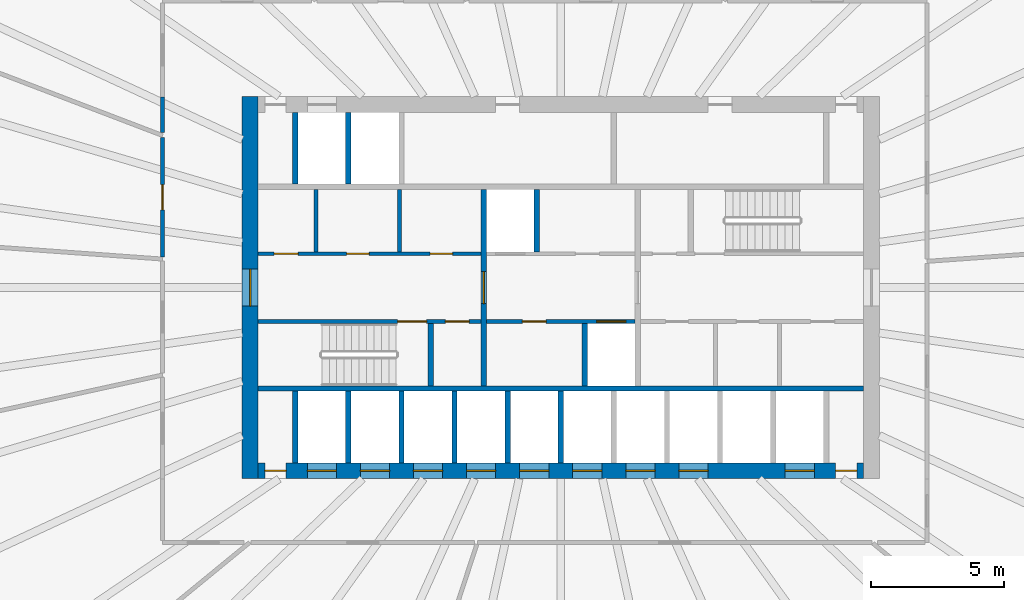
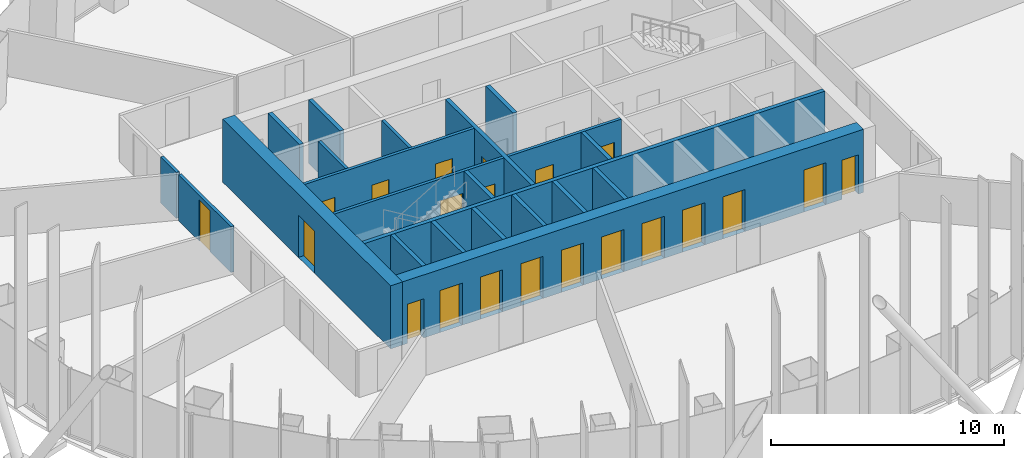
# One storey, part 8 of 22: 22 walls, 21 doors, 21 openings.
"""IFC4 building model written with IfcOpenShell, lengths in metres."""

from ifc_helpers import new_model, si_unit, direction, frame, frame_2d, origin, place, context, subcontext, project, spatial, rectangle, extrude, material, layer, layer_set, type_object, element, fill, save


model = new_model("IFC4")

# Units and contexts
model_context = context("Model", 3, precision=1e-05, world=origin(), true_north=direction((0.0, 1.0)))
body_context = subcontext(model_context, "Body", "Model", "MODEL_VIEW")
ifc_project = project(units=[si_unit("LENGTHUNIT", "METRE"), si_unit("AREAUNIT", "SQUARE_METRE"), si_unit("VOLUMEUNIT", "CUBIC_METRE"), si_unit("PLANEANGLEUNIT", "RADIAN"), si_unit("MASSUNIT", "GRAM", prefix="KILO")], contexts=[model_context])

# Site, building, storey
site_placement = place(None, origin())
site = spatial("IfcSite", under=ifc_project, at=site_placement, CompositionType="ELEMENT")
building_placement = place(site_placement, origin())
building = spatial("IfcBuilding", under=site, at=building_placement, Name="Siaravel Broadcast Tower", CompositionType="ELEMENT")
storey_placement = place(building_placement, frame((0.0, 0.0, 37.10009765625)))
storey = spatial("IfcBuildingStorey", under=building, at=storey_placement, Name="L07", CompositionType="ELEMENT", Elevation=37.10009765625)

# Walls
ifc_material_1 = material(Name="Concrete blockwork", Category="masonry")
ifc_layer_1 = layer(ifc_material_1, 0.14990234375)
ifc_layer_set_1 = layer_set([ifc_layer_1], Name="Concrete blockwork")
wall_type_1 = type_object("IfcWallType", Name="Core partition 150", PredefinedType="PARTITIONING", material=ifc_layer_set_1)
for number, where, z_axis, x_axis, name in (
    (1, (-9.218994140625, 1.35009765625, 0.0), (0.0, 0.0, 1.0), (0.0, 1.0, 0.0), "L07 core partition PNW0"),
    (2, (-6.072021484375, 1.35009765625, 0.0), (0.0, 0.0, 1.0), (0.0, 1.0, 0.0), "L07 core partition PNW1"),
):
    element("IfcWall", number, at=place(storey_placement, frame(where, z_axis=z_axis, x_axis=x_axis)), inside=storey, type_object=wall_type_1, Name=name, PredefinedType="PARTITIONING", context=body_context, shape_type="SweptSolid", body=[
        extrude(rectangle(XDim=2.349853515625, YDim=0.14990234375, at=frame_2d((1.1748046875, 0.0))), origin(), (0.0, 0.0, 1.0), 3.2998046875),
    ])

# Wall, opening, door
ifc_material_2 = material(Name="Concrete C60/75", Category="concrete")
ifc_layer_2 = layer(ifc_material_2, 0.60009765625)
ifc_layer_set_2 = layer_set([ifc_layer_2], Name="Concrete C60/75")
wall_type_2 = type_object("IfcWallType", Name="Core wall 600", PredefinedType="SHEAR", material=ifc_layer_set_2)
wall_1_placement = place(storey_placement, frame((-11.699951171875, -7.199951171875, 0.0), z_axis=(0.0, 0.0, 1.0), x_axis=(0.0, 1.0, 0.0)))
wall_1 = element("IfcWall", 3, at=wall_1_placement, inside=storey, type_object=wall_type_2, Name="L07 core wall OW", PredefinedType="SHEAR", context=body_context, shape_type="SweptSolid", body=[
    extrude(rectangle(XDim=14.39990234375, YDim=0.60009765625, at=frame_2d((7.199951171875, 0.0))), origin(), (0.0, 0.0, 1.0), 3.2998046875),
])
opening_1_placement = place(wall_1_placement, frame((6.5, 0.0, 0.0)))
opening_1 = element("IfcOpeningElement", 4, at=opening_1_placement, cuts=wall_1, Name="Opening L07-DX-W", PredefinedType="OPENING", context=body_context, shape_type="SweptSolid", body=[
    extrude(rectangle(XDim=1.39990234375, YDim=2.199951171875, at=frame_2d((0.699951171875, 1.10009765625))), frame((0.0, 0.31005859375, 0.0), z_axis=(0.0, -1.0, 0.0), x_axis=(1.0, 0.0, 0.0)), (0.0, 0.0, 1.0), 0.6201171875),
])
ifc_material_3 = material(Name="Steel", Category="steel")
door_type_1 = type_object("IfcDoorType", Name="Core exit door 1400", OperationType="DOUBLE_DOOR_SINGLE_SWING", PredefinedType="DOOR", material=ifc_material_3)
door_1_placement = place(opening_1_placement, origin())
door_1 = element("IfcDoor", 5, at=door_1_placement, inside=storey, type_object=door_type_1, Name="L07 door DX-W", OperationType="DOUBLE_DOOR_SINGLE_SWING", OverallHeight=2.199951171875, OverallWidth=1.39990234375, PredefinedType="DOOR", context=body_context, shape_type="SweptSolid", body=[
    extrude(rectangle(XDim=1.39990234375, YDim=2.199951171875, at=frame_2d((0.699951171875, 1.10009765625))), frame((0.0, 0.02490234375, 0.0), z_axis=(0.0, -1.0, 0.0), x_axis=(1.0, 0.0, 0.0)), (0.0, 0.0, 1.0), 0.050048828125),
])
fill(opening_1, door_1)

# Wall, openings, doors
wall_2_placement = place(storey_placement, frame((-11.39990234375, -6.89990234375, 0.0), z_axis=(0.0, 0.0, 1.0), x_axis=(1.0, 0.0, 0.0)))
wall_2 = element("IfcWall", 6, at=wall_2_placement, inside=storey, type_object=wall_type_2, Name="L07 core wall OS", PredefinedType="SHEAR", context=body_context, shape_type="SweptSolid", body=[
    extrude(rectangle(XDim=22.7998046875, YDim=0.60009765625, at=frame_2d((11.39990234375, 0.0))), origin(), (0.0, 0.0, 1.0), 3.2998046875),
])
opening_2_placement = place(wall_2_placement, frame((1.85009765625, 0.0, 0.0)))
opening_2 = element("IfcOpeningElement", 7, at=opening_2_placement, cuts=wall_2, Name="Opening LD-LP1-L07", PredefinedType="OPENING", context=body_context, shape_type="SweptSolid", body=[
    extrude(rectangle(XDim=1.10009765625, YDim=2.199951171875, at=frame_2d((0.550048828125, 1.10009765625))), frame((0.0, 0.31005859375, 0.0), z_axis=(0.0, -1.0, 0.0), x_axis=(1.0, 0.0, 0.0)), (0.0, 0.0, 1.0), 0.6201171875),
])
opening_3_placement = place(wall_2_placement, frame((3.85009765625, 0.0, 0.0)))
opening_3 = element("IfcOpeningElement", 8, at=opening_3_placement, cuts=wall_2, Name="Opening LD-LP2-L07", PredefinedType="OPENING", context=body_context, shape_type="SweptSolid", body=[
    extrude(rectangle(XDim=1.10009765625, YDim=2.199951171875, at=frame_2d((0.550048828125, 1.10009765625))), frame((0.0, 0.31005859375, 0.0), z_axis=(0.0, -1.0, 0.0), x_axis=(1.0, 0.0, 0.0)), (0.0, 0.0, 1.0), 0.6201171875),
])
opening_4_placement = place(wall_2_placement, frame((5.85009765625, 0.0, 0.0)))
opening_4 = element("IfcOpeningElement", 9, at=opening_4_placement, cuts=wall_2, Name="Opening LD-LP3-L07", PredefinedType="OPENING", context=body_context, shape_type="SweptSolid", body=[
    extrude(rectangle(XDim=1.10009765625, YDim=2.199951171875, at=frame_2d((0.550048828125, 1.10009765625))), frame((0.0, 0.31005859375, 0.0), z_axis=(0.0, -1.0, 0.0), x_axis=(1.0, 0.0, 0.0)), (0.0, 0.0, 1.0), 0.6201171875),
])
opening_5_placement = place(wall_2_placement, frame((7.85009765625, 0.0, 0.0)))
opening_5 = element("IfcOpeningElement", 10, at=opening_5_placement, cuts=wall_2, Name="Opening LD-LP4-L07", PredefinedType="OPENING", context=body_context, shape_type="SweptSolid", body=[
    extrude(rectangle(XDim=1.10009765625, YDim=2.199951171875, at=frame_2d((0.550048828125, 1.10009765625))), frame((0.0, 0.31005859375, 0.0), z_axis=(0.0, -1.0, 0.0), x_axis=(1.0, 0.0, 0.0)), (0.0, 0.0, 1.0), 0.6201171875),
])
opening_6_placement = place(wall_2_placement, frame((9.85009765625, 0.0, 0.0)))
opening_6 = element("IfcOpeningElement", 11, at=opening_6_placement, cuts=wall_2, Name="Opening LD-LP5-L07", PredefinedType="OPENING", context=body_context, shape_type="SweptSolid", body=[
    extrude(rectangle(XDim=1.10009765625, YDim=2.199951171875, at=frame_2d((0.550048828125, 1.10009765625))), frame((0.0, 0.31005859375, 0.0), z_axis=(0.0, -1.0, 0.0), x_axis=(1.0, 0.0, 0.0)), (0.0, 0.0, 1.0), 0.6201171875),
])
opening_7_placement = place(wall_2_placement, frame((11.85009765625, 0.0, 0.0)))
opening_7 = element("IfcOpeningElement", 12, at=opening_7_placement, cuts=wall_2, Name="Opening LD-LP6-L07", PredefinedType="OPENING", context=body_context, shape_type="SweptSolid", body=[
    extrude(rectangle(XDim=1.10009765625, YDim=2.199951171875, at=frame_2d((0.550048828125, 1.10009765625))), frame((0.0, 0.31005859375, 0.0), z_axis=(0.0, -1.0, 0.0), x_axis=(1.0, 0.0, 0.0)), (0.0, 0.0, 1.0), 0.6201171875),
])
opening_8_placement = place(wall_2_placement, frame((13.85009765625, 0.0, 0.0)))
opening_8 = element("IfcOpeningElement", 13, at=opening_8_placement, cuts=wall_2, Name="Opening LD-LP7-L07", PredefinedType="OPENING", context=body_context, shape_type="SweptSolid", body=[
    extrude(rectangle(XDim=1.10009765625, YDim=2.199951171875, at=frame_2d((0.550048828125, 1.10009765625))), frame((0.0, 0.31005859375, 0.0), z_axis=(0.0, -1.0, 0.0), x_axis=(1.0, 0.0, 0.0)), (0.0, 0.0, 1.0), 0.6201171875),
])
opening_9_placement = place(wall_2_placement, frame((15.85009765625, 0.0, 0.0)))
opening_9 = element("IfcOpeningElement", 14, at=opening_9_placement, cuts=wall_2, Name="Opening LD-LP8-L07", PredefinedType="OPENING", context=body_context, shape_type="SweptSolid", body=[
    extrude(rectangle(XDim=1.10009765625, YDim=2.199951171875, at=frame_2d((0.550048828125, 1.10009765625))), frame((0.0, 0.31005859375, 0.0), z_axis=(0.0, -1.0, 0.0), x_axis=(1.0, 0.0, 0.0)), (0.0, 0.0, 1.0), 0.6201171875),
])
opening_10_placement = place(wall_2_placement, frame((19.85009765625, 0.0, 0.0)))
opening_10 = element("IfcOpeningElement", 15, at=opening_10_placement, cuts=wall_2, Name="Opening LD-SV1-L07", PredefinedType="OPENING", context=body_context, shape_type="SweptSolid", body=[
    extrude(rectangle(XDim=1.10009765625, YDim=2.199951171875, at=frame_2d((0.550048828125, 1.10009765625))), frame((0.0, 0.31005859375, 0.0), z_axis=(0.0, -1.0, 0.0), x_axis=(1.0, 0.0, 0.0)), (0.0, 0.0, 1.0), 0.6201171875),
])
opening_11_placement = place(wall_2_placement, frame((0.25, 0.0, 0.0)))
opening_11 = element("IfcOpeningElement", 16, at=opening_11_placement, cuts=wall_2, Name="Opening L07-DRSW", PredefinedType="OPENING", context=body_context, shape_type="SweptSolid", body=[
    extrude(rectangle(XDim=0.800048828125, YDim=2.050048828125, at=frame_2d((0.39990234375, 1.02490234375))), frame((0.0, 0.31005859375, 0.0), z_axis=(0.0, -1.0, 0.0), x_axis=(1.0, 0.0, 0.0)), (0.0, 0.0, 1.0), 0.6201171875),
])
opening_12_placement = place(wall_2_placement, frame((21.75, 0.0, 0.0)))
opening_12 = element("IfcOpeningElement", 17, at=opening_12_placement, cuts=wall_2, Name="Opening L07-DRSE", PredefinedType="OPENING", context=body_context, shape_type="SweptSolid", body=[
    extrude(rectangle(XDim=0.800048828125, YDim=2.050048828125, at=frame_2d((0.39990234375, 1.02490234375))), frame((0.0, 0.31005859375, 0.0), z_axis=(0.0, -1.0, 0.0), x_axis=(1.0, 0.0, 0.0)), (0.0, 0.0, 1.0), 0.6201171875),
])
ifc_material_4 = material(Name="Stainless steel 316L", Category="steel")
door_type_2 = type_object("IfcDoorType", Name="Lift landing door 1100", OperationType="DOUBLE_DOOR_SLIDING", PredefinedType="DOOR", material=ifc_material_4)
door_2_placement = place(opening_2_placement, origin())
door_2 = element("IfcDoor", 18, at=door_2_placement, inside=storey, type_object=door_type_2, Name="Landing door LP1 L07", OperationType="DOUBLE_DOOR_SLIDING", OverallHeight=2.199951171875, OverallWidth=1.10009765625, PredefinedType="DOOR", context=body_context, shape_type="SweptSolid", body=[
    extrude(rectangle(XDim=1.10009765625, YDim=2.199951171875, at=frame_2d((0.550048828125, 1.10009765625))), frame((0.0, 0.02490234375, 0.0), z_axis=(0.0, -1.0, 0.0), x_axis=(1.0, 0.0, 0.0)), (0.0, 0.0, 1.0), 0.050048828125),
])
fill(opening_2, door_2)
door_3_placement = place(opening_3_placement, origin())
door_3 = element("IfcDoor", 19, at=door_3_placement, inside=storey, type_object=door_type_2, Name="Landing door LP2 L07", OperationType="DOUBLE_DOOR_SLIDING", OverallHeight=2.199951171875, OverallWidth=1.10009765625, PredefinedType="DOOR", context=body_context, shape_type="SweptSolid", body=[
    extrude(rectangle(XDim=1.10009765625, YDim=2.199951171875, at=frame_2d((0.550048828125, 1.10009765625))), frame((0.0, 0.02490234375, 0.0), z_axis=(0.0, -1.0, 0.0), x_axis=(1.0, 0.0, 0.0)), (0.0, 0.0, 1.0), 0.050048828125),
])
fill(opening_3, door_3)
door_4_placement = place(opening_4_placement, origin())
door_4 = element("IfcDoor", 20, at=door_4_placement, inside=storey, type_object=door_type_2, Name="Landing door LP3 L07", OperationType="DOUBLE_DOOR_SLIDING", OverallHeight=2.199951171875, OverallWidth=1.10009765625, PredefinedType="DOOR", context=body_context, shape_type="SweptSolid", body=[
    extrude(rectangle(XDim=1.10009765625, YDim=2.199951171875, at=frame_2d((0.550048828125, 1.10009765625))), frame((0.0, 0.02490234375, 0.0), z_axis=(0.0, -1.0, 0.0), x_axis=(1.0, 0.0, 0.0)), (0.0, 0.0, 1.0), 0.050048828125),
])
fill(opening_4, door_4)
door_5_placement = place(opening_5_placement, origin())
door_5 = element("IfcDoor", 21, at=door_5_placement, inside=storey, type_object=door_type_2, Name="Landing door LP4 L07", OperationType="DOUBLE_DOOR_SLIDING", OverallHeight=2.199951171875, OverallWidth=1.10009765625, PredefinedType="DOOR", context=body_context, shape_type="SweptSolid", body=[
    extrude(rectangle(XDim=1.10009765625, YDim=2.199951171875, at=frame_2d((0.550048828125, 1.10009765625))), frame((0.0, 0.02490234375, 0.0), z_axis=(0.0, -1.0, 0.0), x_axis=(1.0, 0.0, 0.0)), (0.0, 0.0, 1.0), 0.050048828125),
])
fill(opening_5, door_5)
door_6_placement = place(opening_6_placement, origin())
door_6 = element("IfcDoor", 22, at=door_6_placement, inside=storey, type_object=door_type_2, Name="Landing door LP5 L07", OperationType="DOUBLE_DOOR_SLIDING", OverallHeight=2.199951171875, OverallWidth=1.10009765625, PredefinedType="DOOR", context=body_context, shape_type="SweptSolid", body=[
    extrude(rectangle(XDim=1.10009765625, YDim=2.199951171875, at=frame_2d((0.550048828125, 1.10009765625))), frame((0.0, 0.02490234375, 0.0), z_axis=(0.0, -1.0, 0.0), x_axis=(1.0, 0.0, 0.0)), (0.0, 0.0, 1.0), 0.050048828125),
])
fill(opening_6, door_6)
door_7_placement = place(opening_7_placement, origin())
door_7 = element("IfcDoor", 23, at=door_7_placement, inside=storey, type_object=door_type_2, Name="Landing door LP6 L07", OperationType="DOUBLE_DOOR_SLIDING", OverallHeight=2.199951171875, OverallWidth=1.10009765625, PredefinedType="DOOR", context=body_context, shape_type="SweptSolid", body=[
    extrude(rectangle(XDim=1.10009765625, YDim=2.199951171875, at=frame_2d((0.550048828125, 1.10009765625))), frame((0.0, 0.02490234375, 0.0), z_axis=(0.0, -1.0, 0.0), x_axis=(1.0, 0.0, 0.0)), (0.0, 0.0, 1.0), 0.050048828125),
])
fill(opening_7, door_7)
door_8_placement = place(opening_8_placement, origin())
door_8 = element("IfcDoor", 24, at=door_8_placement, inside=storey, type_object=door_type_2, Name="Landing door LP7 L07", OperationType="DOUBLE_DOOR_SLIDING", OverallHeight=2.199951171875, OverallWidth=1.10009765625, PredefinedType="DOOR", context=body_context, shape_type="SweptSolid", body=[
    extrude(rectangle(XDim=1.10009765625, YDim=2.199951171875, at=frame_2d((0.550048828125, 1.10009765625))), frame((0.0, 0.02490234375, 0.0), z_axis=(0.0, -1.0, 0.0), x_axis=(1.0, 0.0, 0.0)), (0.0, 0.0, 1.0), 0.050048828125),
])
fill(opening_8, door_8)
door_9_placement = place(opening_9_placement, origin())
door_9 = element("IfcDoor", 25, at=door_9_placement, inside=storey, type_object=door_type_2, Name="Landing door LP8 L07", OperationType="DOUBLE_DOOR_SLIDING", OverallHeight=2.199951171875, OverallWidth=1.10009765625, PredefinedType="DOOR", context=body_context, shape_type="SweptSolid", body=[
    extrude(rectangle(XDim=1.10009765625, YDim=2.199951171875, at=frame_2d((0.550048828125, 1.10009765625))), frame((0.0, 0.02490234375, 0.0), z_axis=(0.0, -1.0, 0.0), x_axis=(1.0, 0.0, 0.0)), (0.0, 0.0, 1.0), 0.050048828125),
])
fill(opening_9, door_9)
door_type_3 = type_object("IfcDoorType", Name="Riser door 800", OperationType="SINGLE_SWING_LEFT", PredefinedType="DOOR", material=ifc_material_3)
door_10_placement = place(opening_11_placement, origin())
door_10 = element("IfcDoor", 26, at=door_10_placement, inside=storey, type_object=door_type_3, Name="L07 door DRSW", OperationType="SINGLE_SWING_LEFT", OverallHeight=2.050048828125, OverallWidth=0.800048828125, PredefinedType="DOOR", context=body_context, shape_type="SweptSolid", body=[
    extrude(rectangle(XDim=0.800048828125, YDim=2.050048828125, at=frame_2d((0.39990234375, 1.02490234375))), frame((0.0, 0.02490234375, 0.0), z_axis=(0.0, -1.0, 0.0), x_axis=(1.0, 0.0, 0.0)), (0.0, 0.0, 1.0), 0.050048828125),
])
fill(opening_11, door_10)
door_11_placement = place(opening_12_placement, origin())
door_11 = element("IfcDoor", 27, at=door_11_placement, inside=storey, type_object=door_type_3, Name="L07 door DRSE", OperationType="SINGLE_SWING_LEFT", OverallHeight=2.050048828125, OverallWidth=0.800048828125, PredefinedType="DOOR", context=body_context, shape_type="SweptSolid", body=[
    extrude(rectangle(XDim=0.800048828125, YDim=2.050048828125, at=frame_2d((0.39990234375, 1.02490234375))), frame((0.0, 0.02490234375, 0.0), z_axis=(0.0, -1.0, 0.0), x_axis=(1.0, 0.0, 0.0)), (0.0, 0.0, 1.0), 0.050048828125),
])
fill(opening_12, door_11)
door_type_4 = type_object("IfcDoorType", Name="Service lift landing door 1100", OperationType="DOUBLE_DOOR_SLIDING", PredefinedType="DOOR", material=ifc_material_4)
door_12_placement = place(opening_10_placement, origin())
door_12 = element("IfcDoor", 28, at=door_12_placement, inside=storey, type_object=door_type_4, Name="Landing door SV1 L07", OperationType="DOUBLE_DOOR_SLIDING", OverallHeight=2.199951171875, OverallWidth=1.10009765625, PredefinedType="DOOR", context=body_context, shape_type="SweptSolid", body=[
    extrude(rectangle(XDim=1.10009765625, YDim=2.199951171875, at=frame_2d((0.550048828125, 1.10009765625))), frame((0.0, 0.02490234375, 0.0), z_axis=(0.0, -1.0, 0.0), x_axis=(1.0, 0.0, 0.0)), (0.0, 0.0, 1.0), 0.050048828125),
])
fill(opening_10, door_12)

ifc_material_5 = material(Name="Gypsum board partition", Category="gypsum")
ifc_layer_3 = layer(ifc_material_5, 0.14990234375)
ifc_layer_set_3 = layer_set([ifc_layer_3], Name="Gypsum board partition")
wall_type_3 = type_object("IfcWallType", Name="Corridor wall 150", PredefinedType="PARTITIONING", material=ifc_layer_set_3)
wall_3_placement = place(storey_placement, frame((-11.39990234375, 1.27490234375, 0.0), z_axis=(0.0, 0.0, 1.0), x_axis=(1.0, 0.0, 0.0)))
wall_3 = element("IfcWall", 29, at=wall_3_placement, inside=storey, type_object=wall_type_3, Name="L07 core partition CNW", PredefinedType="PARTITIONING", context=body_context, shape_type="SweptSolid", body=[
    extrude(rectangle(XDim=8.39990234375, YDim=0.14990234375, at=frame_2d((4.199951171875, 0.0))), origin(), (0.0, 0.0, 1.0), 3.2998046875),
])
opening_13_placement = place(wall_3_placement, frame((0.60302734375, 0.0, 0.0)))
opening_13 = element("IfcOpeningElement", 30, at=opening_13_placement, cuts=wall_3, Name="Opening L07-DNW0", PredefinedType="OPENING", context=body_context, shape_type="SweptSolid", body=[
    extrude(rectangle(XDim=0.89990234375, YDim=2.10009765625, at=frame_2d((0.449951171875, 1.050048828125))), frame((0.0, 0.0849609375, 0.0), z_axis=(0.0, -1.0, 0.0), x_axis=(1.0, 0.0, 0.0)), (0.0, 0.0, 1.0), 0.169921875),
])
opening_14_placement = place(wall_3_placement, frame((3.32958984375, 0.0, 0.0)))
opening_14 = element("IfcOpeningElement", 31, at=opening_14_placement, cuts=wall_3, Name="Opening L07-DNW1", PredefinedType="OPENING", context=body_context, shape_type="SweptSolid", body=[
    extrude(rectangle(XDim=0.85009765625, YDim=2.10009765625, at=frame_2d((0.425048828125, 1.050048828125))), frame((0.0, 0.0849609375, 0.0), z_axis=(0.0, -1.0, 0.0), x_axis=(1.0, 0.0, 0.0)), (0.0, 0.0, 1.0), 0.169921875),
])
opening_15_placement = place(wall_3_placement, frame((6.4765625, 0.0, 0.0)))
opening_15 = element("IfcOpeningElement", 32, at=opening_15_placement, cuts=wall_3, Name="Opening L07-DNW2", PredefinedType="OPENING", context=body_context, shape_type="SweptSolid", body=[
    extrude(rectangle(XDim=0.85009765625, YDim=2.10009765625, at=frame_2d((0.425048828125, 1.050048828125))), frame((0.0, 0.0849609375, 0.0), z_axis=(0.0, -1.0, 0.0), x_axis=(1.0, 0.0, 0.0)), (0.0, 0.0, 1.0), 0.169921875),
])
ifc_material_6 = material(Name="Timber veneer", Category="wood")
door_type_5 = type_object("IfcDoorType", Name="Core room door 900", OperationType="SINGLE_SWING_LEFT", PredefinedType="DOOR", material=ifc_material_6)
door_13_placement = place(opening_13_placement, origin())
door_13 = element("IfcDoor", 33, at=door_13_placement, inside=storey, type_object=door_type_5, Name="L07 door DNW0", OperationType="SINGLE_SWING_LEFT", OverallHeight=2.10009765625, OverallWidth=0.89990234375, PredefinedType="DOOR", context=body_context, shape_type="SweptSolid", body=[
    extrude(rectangle(XDim=0.89990234375, YDim=2.10009765625, at=frame_2d((0.449951171875, 1.050048828125))), frame((0.0, 0.02490234375, 0.0), z_axis=(0.0, -1.0, 0.0), x_axis=(1.0, 0.0, 0.0)), (0.0, 0.0, 1.0), 0.050048828125),
])
fill(opening_13, door_13)
door_type_6 = type_object("IfcDoorType", Name="Core toilet door 850", OperationType="SINGLE_SWING_LEFT", PredefinedType="DOOR", material=ifc_material_6)
door_14_placement = place(opening_14_placement, origin())
door_14 = element("IfcDoor", 34, at=door_14_placement, inside=storey, type_object=door_type_6, Name="L07 door DNW1", OperationType="SINGLE_SWING_LEFT", OverallHeight=2.10009765625, OverallWidth=0.85009765625, PredefinedType="DOOR", context=body_context, shape_type="SweptSolid", body=[
    extrude(rectangle(XDim=0.85009765625, YDim=2.10009765625, at=frame_2d((0.425048828125, 1.050048828125))), frame((0.0, 0.02490234375, 0.0), z_axis=(0.0, -1.0, 0.0), x_axis=(1.0, 0.0, 0.0)), (0.0, 0.0, 1.0), 0.050048828125),
])
fill(opening_14, door_14)
door_15_placement = place(opening_15_placement, origin())
door_15 = element("IfcDoor", 35, at=door_15_placement, inside=storey, type_object=door_type_6, Name="L07 door DNW2", OperationType="SINGLE_SWING_LEFT", OverallHeight=2.10009765625, OverallWidth=0.85009765625, PredefinedType="DOOR", context=body_context, shape_type="SweptSolid", body=[
    extrude(rectangle(XDim=0.85009765625, YDim=2.10009765625, at=frame_2d((0.425048828125, 1.050048828125))), frame((0.0, 0.02490234375, 0.0), z_axis=(0.0, -1.0, 0.0), x_axis=(1.0, 0.0, 0.0)), (0.0, 0.0, 1.0), 0.050048828125),
])
fill(opening_15, door_15)

# Wall, opening, door
wall_4_placement = place(storey_placement, frame((-15.0, 5.6572265625, 0.0), z_axis=(0.0, 0.0, 1.0), x_axis=(0.0, -1.0, 0.0)))
wall_4 = element("IfcWall", 36, at=wall_4_placement, inside=storey, type_object=wall_type_3, Name="L07 partition 19", PredefinedType="PARTITIONING", context=body_context, shape_type="SweptSolid", body=[
    extrude(rectangle(XDim=4.499755859375, YDim=0.14990234375, at=frame_2d((2.25, 0.0))), origin(), (0.0, 0.0, 1.0), 2.39990234375),
])
opening_16_placement = place(wall_4_placement, frame((1.77490234375, 0.0, 0.0)))
opening_16 = element("IfcOpeningElement", 37, at=opening_16_placement, cuts=wall_4, Name="Opening L07-009", PredefinedType="OPENING", context=body_context, shape_type="SweptSolid", body=[
    extrude(rectangle(XDim=0.949951171875, YDim=2.14990234375, at=frame_2d((0.47509765625, 1.074951171875))), frame((0.0, 0.0849609375, 0.0), z_axis=(0.0, -1.0, 0.0), x_axis=(1.0, 0.0, 0.0)), (0.0, 0.0, 1.0), 0.169921875),
])
door_type_7 = type_object("IfcDoorType", Name="Office door 950", OperationType="SINGLE_SWING_LEFT", PredefinedType="DOOR", material=ifc_material_6)
door_16_placement = place(opening_16_placement, origin())
door_16 = element("IfcDoor", 38, at=door_16_placement, inside=storey, type_object=door_type_7, Name="L07 door to Graphics studio", OperationType="SINGLE_SWING_LEFT", OverallHeight=2.14990234375, OverallWidth=0.949951171875, PredefinedType="DOOR", context=body_context, shape_type="SweptSolid", body=[
    extrude(rectangle(XDim=0.949951171875, YDim=2.14990234375, at=frame_2d((0.47509765625, 1.074951171875))), frame((0.0, 0.02490234375, 0.0), z_axis=(0.0, -1.0, 0.0), x_axis=(1.0, 0.0, 0.0)), (0.0, 0.0, 1.0), 0.050048828125),
])
fill(opening_16, door_16)

# Wall
wall_5_placement = place(storey_placement, frame((-15.0, 7.18701171875, 0.0), z_axis=(0.0, 0.0, 1.0), x_axis=(0.0, -1.0, 0.0)))
element("IfcWall", 39, at=wall_5_placement, inside=storey, type_object=wall_type_3, Name="L07 partition 28", PredefinedType="PARTITIONING", context=body_context, shape_type="SweptSolid", body=[
    extrude(rectangle(XDim=1.3466796875, YDim=0.14990234375, at=frame_2d((0.67333984375, 0.0))), origin(), (0.0, 0.0, 1.0), 2.39990234375),
])

# Wall, openings, doors
ifc_layer_4 = layer(ifc_material_2, 0.14990234375)
ifc_layer_set_4 = layer_set([ifc_layer_4], Name="Concrete C60/75")
wall_type_4 = type_object("IfcWallType", Name="Shaft wall 150", PredefinedType="SHEAR", material=ifc_layer_set_4)
wall_6_placement = place(storey_placement, frame((-11.39990234375, -1.27490234375, 0.0), z_axis=(0.0, 0.0, 1.0), x_axis=(1.0, 0.0, 0.0)))
wall_6 = element("IfcWall", 40, at=wall_6_placement, inside=storey, type_object=wall_type_4, Name="L07 core wall CSW", PredefinedType="SHEAR", context=body_context, shape_type="SweptSolid", body=[
    extrude(rectangle(XDim=8.39990234375, YDim=0.14990234375, at=frame_2d((4.199951171875, 0.0))), origin(), (0.0, 0.0, 1.0), 3.2998046875),
])
opening_17_placement = place(wall_6_placement, frame((5.25, 0.0, 0.0)))
opening_17 = element("IfcOpeningElement", 41, at=opening_17_placement, cuts=wall_6, Name="Opening L07-DS-1", PredefinedType="OPENING", context=body_context, shape_type="SweptSolid", body=[
    extrude(rectangle(XDim=1.10009765625, YDim=2.14990234375, at=frame_2d((0.550048828125, 1.074951171875))), frame((0.0, 0.0849609375, 0.0), z_axis=(0.0, -1.0, 0.0), x_axis=(1.0, 0.0, 0.0)), (0.0, 0.0, 1.0), 0.169921875),
])
opening_18_placement = place(wall_6_placement, frame((7.050048828125, 0.0, 0.0)))
opening_18 = element("IfcOpeningElement", 42, at=opening_18_placement, cuts=wall_6, Name="Opening L07-DSW0", PredefinedType="OPENING", context=body_context, shape_type="SweptSolid", body=[
    extrude(rectangle(XDim=0.89990234375, YDim=2.10009765625, at=frame_2d((0.449951171875, 1.050048828125))), frame((0.0, 0.0849609375, 0.0), z_axis=(0.0, -1.0, 0.0), x_axis=(1.0, 0.0, 0.0)), (0.0, 0.0, 1.0), 0.169921875),
])
door_17_placement = place(opening_18_placement, origin())
door_17 = element("IfcDoor", 43, at=door_17_placement, inside=storey, type_object=door_type_5, Name="L07 door DSW0", OperationType="SINGLE_SWING_LEFT", OverallHeight=2.10009765625, OverallWidth=0.89990234375, PredefinedType="DOOR", context=body_context, shape_type="SweptSolid", body=[
    extrude(rectangle(XDim=0.89990234375, YDim=2.10009765625, at=frame_2d((0.449951171875, 1.050048828125))), frame((0.0, 0.02490234375, 0.0), z_axis=(0.0, -1.0, 0.0), x_axis=(1.0, 0.0, 0.0)), (0.0, 0.0, 1.0), 0.050048828125),
])
fill(opening_18, door_17)
door_type_8 = type_object("IfcDoorType", Name="Stair door 1100", OperationType="SINGLE_SWING_LEFT", PredefinedType="DOOR", material=ifc_material_3)
door_18_placement = place(opening_17_placement, origin())
door_18 = element("IfcDoor", 44, at=door_18_placement, inside=storey, type_object=door_type_8, Name="L07 door DS-1", OperationType="SINGLE_SWING_LEFT", OverallHeight=2.14990234375, OverallWidth=1.10009765625, PredefinedType="DOOR", context=body_context, shape_type="SweptSolid", body=[
    extrude(rectangle(XDim=1.10009765625, YDim=2.14990234375, at=frame_2d((0.550048828125, 1.074951171875))), frame((0.0, 0.02490234375, 0.0), z_axis=(0.0, -1.0, 0.0), x_axis=(1.0, 0.0, 0.0)), (0.0, 0.0, 1.0), 0.050048828125),
])
fill(opening_17, door_18)

wall_7_placement = place(storey_placement, frame((-2.800048828125, -1.27490234375, 0.0), z_axis=(0.0, 0.0, 1.0), x_axis=(1.0, 0.0, 0.0)))
wall_7 = element("IfcWall", 45, at=wall_7_placement, inside=storey, type_object=wall_type_4, Name="L07 core wall CSM", PredefinedType="SHEAR", context=body_context, shape_type="SweptSolid", body=[
    extrude(rectangle(XDim=5.60009765625, YDim=0.14990234375, at=frame_2d((2.800048828125, 0.0))), origin(), (0.0, 0.0, 1.0), 3.2998046875),
])
opening_19_placement = place(wall_7_placement, frame((4.14990234375, 0.0, 0.0)))
opening_19 = element("IfcOpeningElement", 46, at=opening_19_placement, cuts=wall_7, Name="Opening LD-FL2-L07", PredefinedType="OPENING", context=body_context, shape_type="SweptSolid", body=[
    extrude(rectangle(XDim=1.10009765625, YDim=2.199951171875, at=frame_2d((0.550048828125, 1.10009765625))), frame((0.0, 0.0849609375, 0.0), z_axis=(0.0, -1.0, 0.0), x_axis=(1.0, 0.0, 0.0)), (0.0, 0.0, 1.0), 0.169921875),
])
opening_20_placement = place(wall_7_placement, frame((1.35009765625, 0.0, 0.0)))
opening_20 = element("IfcOpeningElement", 47, at=opening_20_placement, cuts=wall_7, Name="Opening L07-DSM0", PredefinedType="OPENING", context=body_context, shape_type="SweptSolid", body=[
    extrude(rectangle(XDim=0.89990234375, YDim=2.10009765625, at=frame_2d((0.449951171875, 1.050048828125))), frame((0.0, 0.0849609375, 0.0), z_axis=(0.0, -1.0, 0.0), x_axis=(1.0, 0.0, 0.0)), (0.0, 0.0, 1.0), 0.169921875),
])
door_19_placement = place(opening_20_placement, origin())
door_19 = element("IfcDoor", 48, at=door_19_placement, inside=storey, type_object=door_type_5, Name="L07 door DSM0", OperationType="SINGLE_SWING_LEFT", OverallHeight=2.10009765625, OverallWidth=0.89990234375, PredefinedType="DOOR", context=body_context, shape_type="SweptSolid", body=[
    extrude(rectangle(XDim=0.89990234375, YDim=2.10009765625, at=frame_2d((0.449951171875, 1.050048828125))), frame((0.0, 0.02490234375, 0.0), z_axis=(0.0, -1.0, 0.0), x_axis=(1.0, 0.0, 0.0)), (0.0, 0.0, 1.0), 0.050048828125),
])
fill(opening_20, door_19)
door_type_9 = type_object("IfcDoorType", Name="Firefighting lift landing door 1100", OperationType="DOUBLE_DOOR_SLIDING", PredefinedType="DOOR", material=ifc_material_4)
door_20_placement = place(opening_19_placement, origin())
door_20 = element("IfcDoor", 49, at=door_20_placement, inside=storey, type_object=door_type_9, Name="Landing door FL2 L07", OperationType="DOUBLE_DOOR_SLIDING", OverallHeight=2.199951171875, OverallWidth=1.10009765625, PredefinedType="DOOR", context=body_context, shape_type="SweptSolid", body=[
    extrude(rectangle(XDim=1.10009765625, YDim=2.199951171875, at=frame_2d((0.550048828125, 1.10009765625))), frame((0.0, 0.02490234375, 0.0), z_axis=(0.0, -1.0, 0.0), x_axis=(1.0, 0.0, 0.0)), (0.0, 0.0, 1.0), 0.050048828125),
])
fill(opening_19, door_20)

# Walls
ifc_layer_5 = layer(ifc_material_2, 0.199951171875)
ifc_layer_set_5 = layer_set([ifc_layer_5], Name="Concrete C60/75")
wall_type_5 = type_object("IfcWallType", Name="Shaft wall 200", PredefinedType="SHEAR", material=ifc_layer_set_5)
wall_8_placement = place(storey_placement, frame((-11.39990234375, -3.800048828125, 0.0), z_axis=(0.0, 0.0, 1.0), x_axis=(1.0, 0.0, 0.0)))
element("IfcWall", 50, at=wall_8_placement, inside=storey, type_object=wall_type_5, Name="L07 core wall BS", PredefinedType="SHEAR", context=body_context, shape_type="SweptSolid", body=[
    extrude(rectangle(XDim=22.7998046875, YDim=0.199951171875, at=frame_2d((11.39990234375, 0.0))), origin(), (0.0, 0.0, 1.0), 3.2998046875),
])
for number, where, z_axis, x_axis, name in (
    (51, (-10.0, -6.60009765625, 0.0), (0.0, 0.0, 1.0), (0.0, 1.0, 0.0), "L07 core wall SWS0"),
    (52, (-8.0, -6.60009765625, 0.0), (0.0, 0.0, 1.0), (0.0, 1.0, 0.0), "L07 core wall SWS1"),
    (53, (-6.0, -6.60009765625, 0.0), (0.0, 0.0, 1.0), (0.0, 1.0, 0.0), "L07 core wall SWS2"),
    (54, (-4.0, -6.60009765625, 0.0), (0.0, 0.0, 1.0), (0.0, 1.0, 0.0), "L07 core wall SWS3"),
    (55, (-2.0, -6.60009765625, 0.0), (0.0, 0.0, 1.0), (0.0, 1.0, 0.0), "L07 core wall SWS4"),
    (56, (0.0, -6.60009765625, 0.0), (0.0, 0.0, 1.0), (0.0, 1.0, 0.0), "L07 core wall SWS5"),
    (57, (-10.0, 3.89990234375, 0.0), (0.0, 0.0, 1.0), (0.0, 1.0, 0.0), "L07 core wall SWN0"),
    (58, (-8.0, 3.89990234375, 0.0), (0.0, 0.0, 1.0), (0.0, 1.0, 0.0), "L07 core wall SWN1"),
):
    element("IfcWall", number, at=place(storey_placement, frame(where, z_axis=z_axis, x_axis=x_axis)), inside=storey, type_object=wall_type_5, Name=name, PredefinedType="SHEAR", context=body_context, shape_type="SweptSolid", body=[
        extrude(rectangle(XDim=2.7001953125, YDim=0.199951171875, at=frame_2d((1.35009765625, 0.0))), origin(), (0.0, 0.0, 1.0), 3.2998046875),
    ])

# Wall, opening, door
wall_9_placement = place(storey_placement, frame((-2.89990234375, -3.699951171875, 0.0), z_axis=(0.0, 0.0, 1.0), x_axis=(0.0, 1.0, 0.0)))
wall_9 = element("IfcWall", 59, at=wall_9_placement, inside=storey, type_object=wall_type_5, Name="L07 core wall LW", PredefinedType="SHEAR", context=body_context, shape_type="SweptSolid", body=[
    extrude(rectangle(XDim=7.39990234375, YDim=0.199951171875, at=frame_2d((3.699951171875, 0.0))), origin(), (0.0, 0.0, 1.0), 3.2998046875),
])
opening_21_placement = place(wall_9_placement, frame((3.10009765625, 0.0, 0.0)))
opening_21 = element("IfcOpeningElement", 60, at=opening_21_placement, cuts=wall_9, Name="Opening L07-DL-W", PredefinedType="OPENING", context=body_context, shape_type="SweptSolid", body=[
    extrude(rectangle(XDim=1.199951171875, YDim=2.199951171875, at=frame_2d((0.60009765625, 1.10009765625))), frame((0.0, 0.10986328125, 0.0), z_axis=(0.0, -1.0, 0.0), x_axis=(1.0, 0.0, 0.0)), (0.0, 0.0, 1.0), 0.219970703125),
])
door_type_10 = type_object("IfcDoorType", Name="Firefighting lobby door 1200", OperationType="SINGLE_SWING_LEFT", PredefinedType="DOOR", material=ifc_material_3)
door_21_placement = place(opening_21_placement, origin())
door_21 = element("IfcDoor", 61, at=door_21_placement, inside=storey, type_object=door_type_10, Name="L07 door DL-W", OperationType="SINGLE_SWING_LEFT", OverallHeight=2.199951171875, OverallWidth=1.199951171875, PredefinedType="DOOR", context=body_context, shape_type="SweptSolid", body=[
    extrude(rectangle(XDim=1.199951171875, YDim=2.199951171875, at=frame_2d((0.60009765625, 1.10009765625))), frame((0.0, 0.02490234375, 0.0), z_axis=(0.0, -1.0, 0.0), x_axis=(1.0, 0.0, 0.0)), (0.0, 0.0, 1.0), 0.050048828125),
])
fill(opening_21, door_21)

# Walls
for number, where, z_axis, x_axis, name in (
    (62, (-0.89990234375, 1.35009765625, 0.0), (0.0, 0.0, 1.0), (0.0, 1.0, 0.0), "L07 core wall FF1E"),
    (63, (0.89990234375, -3.699951171875, 0.0), (0.0, 0.0, 1.0), (0.0, 1.0, 0.0), "L07 core wall FF2W"),
    (64, (-4.89990234375, -3.699951171875, 0.0), (0.0, 0.0, 1.0), (0.0, 1.0, 0.0), "L07 core wall ST1E"),
):
    element("IfcWall", number, at=place(storey_placement, frame(where, z_axis=z_axis, x_axis=x_axis)), inside=storey, type_object=wall_type_5, Name=name, PredefinedType="SHEAR", context=body_context, shape_type="SweptSolid", body=[
        extrude(rectangle(XDim=2.349853515625, YDim=0.199951171875, at=frame_2d((1.1748046875, 0.0))), origin(), (0.0, 0.0, 1.0), 3.2998046875),
    ])

save(model, "model.ifc")
